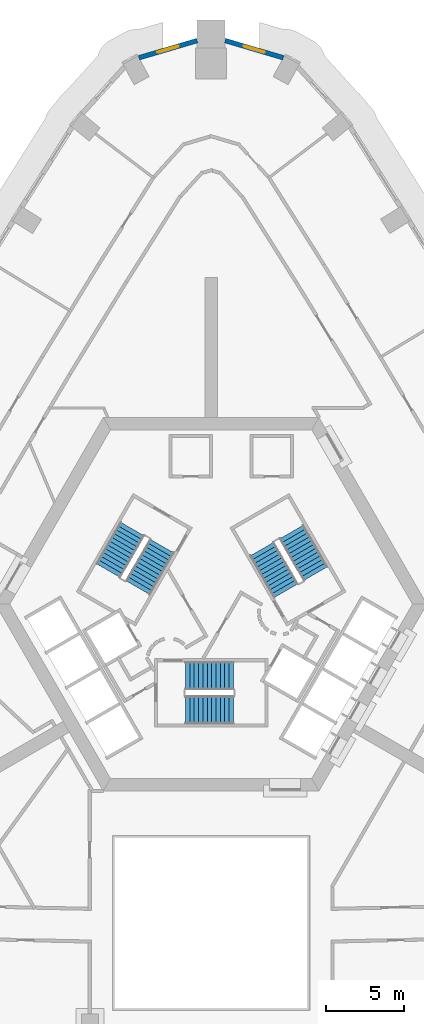
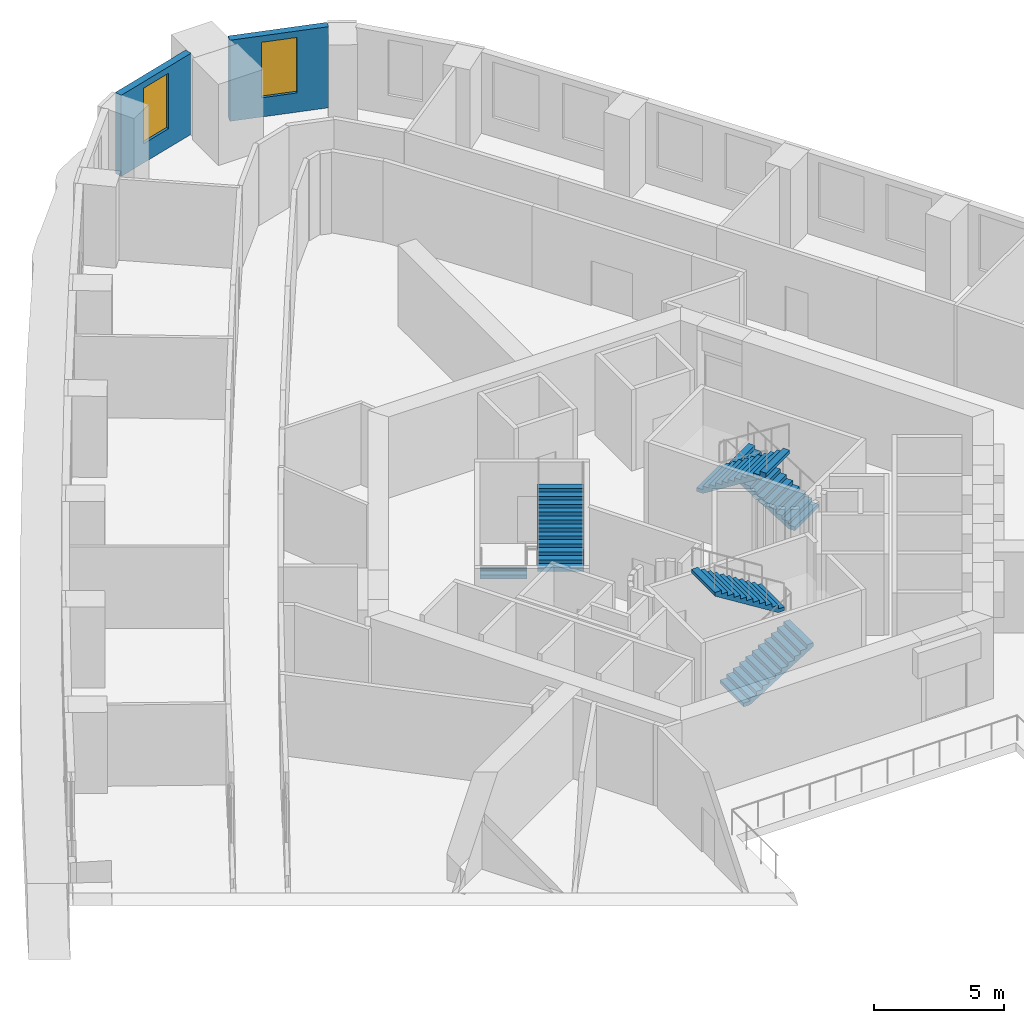
# One storey, part 11 of 17: 6 stair flights, 2 walls, 2 windows, 2 openings, 3 elements without a shape of their own.
"""IFC4 building model written with IfcOpenShell, lengths in metres."""

from ifc_helpers import new_model, si_unit, direction, frame, frame_2d, origin, place, context, subcontext, project, spatial, polyline, rectangle, outline, extrude, material, layer, layer_set, type_object, element, fill, aggregate, save


model = new_model("IFC4")

# Units and contexts
model_context = context("Model", 3, precision=1e-05, world=origin(), true_north=direction((0.0, 1.0)))
body_context = subcontext(model_context, "Body", "Model", "MODEL_VIEW")
ifc_project = project(units=[si_unit("LENGTHUNIT", "METRE"), si_unit("AREAUNIT", "SQUARE_METRE"), si_unit("VOLUMEUNIT", "CUBIC_METRE"), si_unit("PLANEANGLEUNIT", "RADIAN"), si_unit("MASSUNIT", "GRAM", prefix="KILO")], contexts=[model_context])

# Site, building, storey
site_placement = place(None, origin())
site = spatial("IfcSite", under=ifc_project, at=site_placement, CompositionType="ELEMENT")
building_placement = place(site_placement, origin())
building = spatial("IfcBuilding", under=site, at=building_placement, Name="Entoto Arch Interchange Tower", CompositionType="ELEMENT")
storey_placement = place(building_placement, frame((0.0, 0.0, 167.60009765625)))
storey = spatial("IfcBuildingStorey", under=building, at=storey_placement, Name="L37", CompositionType="ELEMENT", Elevation=167.60009765625)

# Wall, opening, window
ifc_material_1 = material(Name="Welded tuff (ignimbrite) cladding, warm buff", Category="masonry")
ifc_layer = layer(ifc_material_1, 0.300048828125)
ifc_layer_set = layer_set([ifc_layer], Name="Welded tuff (ignimbrite) cladding, warm buff")
wall_type = type_object("IfcWallType", Name="STONE INFILL WALL 300", PredefinedType="STANDARD", material=ifc_layer_set)
wall_1_placement = place(storey_placement, frame((4.64111328125, 37.60400390625, 0.0), z_axis=(0.0, 0.0, 1.0), x_axis=(-0.959064064953, 0.283189193501, 0.0)))
wall_1 = element("IfcWall", 1, at=wall_1_placement, inside=storey, type_object=wall_type, Name="Facade wall N-02 L37", PredefinedType="STANDARD", context=body_context, shape_type="SweptSolid", body=[
    extrude(rectangle(XDim=3.90185546875, YDim=0.300048828125, at=frame_2d((1.950927734375, 0.0))), origin(), (0.0, 0.0, 1.0), 3.7998046875),
])
opening_1_placement = place(wall_1_placement, frame((1.2509765625, 0.0, 0.89990234375)))
opening_1 = element("IfcOpeningElement", 2, at=opening_1_placement, cuts=wall_1, Name="Opening WO-B", PredefinedType="OPENING", context=body_context, shape_type="SweptSolid", body=[
    extrude(rectangle(XDim=1.39990234375, YDim=2.60009765625, at=frame_2d((0.699951171875, 1.300048828125))), frame((0.0, 0.16015625, 0.0), z_axis=(0.0, -1.0, 0.0), x_axis=(1.0, 0.0, 0.0)), (0.0, 0.0, 1.0), 0.320068359375),
])
ifc_material_2 = material(Name="Clear glass, low-e double glazed", Category="glass")
window_type = type_object("IfcWindowType", Name="WINDOW WO-B 1400x2600", PartitioningType="DOUBLE_PANEL_VERTICAL", PredefinedType="WINDOW", material=ifc_material_2)
window_1_placement = place(opening_1_placement, origin())
window_1 = element("IfcWindow", 3, at=window_1_placement, inside=storey, type_object=window_type, Name="Window WO-B N-02 L37", OverallHeight=2.60009765625, OverallWidth=1.39990234375, PartitioningType="SINGLE_PANEL", PredefinedType="WINDOW", context=body_context, shape_type="SweptSolid", body=[
    extrude(rectangle(XDim=1.39990234375, YDim=2.60009765625, at=frame_2d((0.699951171875, 1.300048828125))), frame((0.0, 0.030029296875, 0.0), z_axis=(0.0, -1.0, 0.0), x_axis=(1.0, 0.0, 0.0)), (0.0, 0.0, 1.0), 0.06005859375),
])
fill(opening_1, window_1)

wall_2_placement = place(storey_placement, frame((-0.89892578125, 38.708984375, 0.0), z_axis=(0.0, 0.0, 1.0), x_axis=(-0.959064064953, -0.283189193501, 0.0)))
wall_2 = element("IfcWall", 4, at=wall_2_placement, inside=storey, type_object=wall_type, Name="Facade wall N-03 L37", PredefinedType="STANDARD", context=body_context, shape_type="SweptSolid", body=[
    extrude(rectangle(XDim=3.90185546875, YDim=0.300048828125, at=frame_2d((1.950927734375, 0.0))), origin(), (0.0, 0.0, 1.0), 3.7998046875),
])
opening_2_placement = place(wall_2_placement, frame((1.2509765625, 0.0, 0.89990234375)))
opening_2 = element("IfcOpeningElement", 5, at=opening_2_placement, cuts=wall_2, Name="Opening WO-B", PredefinedType="OPENING", context=body_context, shape_type="SweptSolid", body=[
    extrude(rectangle(XDim=1.39990234375, YDim=2.60009765625, at=frame_2d((0.699951171875, 1.300048828125))), frame((0.0, 0.16015625, 0.0), z_axis=(0.0, -1.0, 0.0), x_axis=(1.0, 0.0, 0.0)), (0.0, 0.0, 1.0), 0.320068359375),
])
window_2_placement = place(opening_2_placement, origin())
window_2 = element("IfcWindow", 6, at=window_2_placement, inside=storey, type_object=window_type, Name="Window WO-B N-03 L37", OverallHeight=2.60009765625, OverallWidth=1.39990234375, PartitioningType="SINGLE_PANEL", PredefinedType="WINDOW", context=body_context, shape_type="SweptSolid", body=[
    extrude(rectangle(XDim=1.39990234375, YDim=2.60009765625, at=frame_2d((0.699951171875, 1.300048828125))), frame((0.0, 0.030029296875, 0.0), z_axis=(0.0, -1.0, 0.0), x_axis=(1.0, 0.0, 0.0)), (0.0, 0.0, 1.0), 0.06005859375),
])
fill(opening_2, window_2)

# Stair, stair flights
ifc_material_3 = material(Name="Concrete C40/50", Category="concrete")
stair_type = type_object("IfcStairType", Name="EXIT STAIR RC 1800", PredefinedType="HALF_TURN_STAIR", material=ifc_material_3)
stair_1_placement = place(storey_placement, origin())
stair_1 = element("IfcStair", 7, at=stair_1_placement, inside=storey, type_object=stair_type, Name="L37 Exit stair S", PredefinedType="HALF_TURN_STAIR")
stair_flight_type = type_object("IfcStairFlightType", Name="EXIT STAIR FLIGHT RC 1800", PredefinedType="STRAIGHT", material=ifc_material_3)
stair_flight_1_placement = place(storey_placement, frame((-1.64990234375, -4.300048828125, 0.0), z_axis=(0.0, 0.0, 1.0), x_axis=(1.0, 0.0, 0.0)))
stair_flight_1 = element("IfcStairFlight", 8, at=stair_flight_1_placement, type_object=stair_flight_type, Name="ST-S flight 1", NumberOfRisers=12, NumberOfTreads=11, PredefinedType="STRAIGHT", RiserHeight=0.175, TreadLength=0.28, context=body_context, shape_type="SweptSolid", body=[
    extrude(outline(polyline([(-0.0029296875, 0.0), (-0.0029296875, 0.175048828125), (0.280029296875, 0.175048828125), (0.280029296875, 0.35009765625), (0.56005859375, 0.35009765625), (0.56005859375, 0.52490234375), (0.840087890625, 0.52490234375), (0.840087890625, 0.699951171875), (1.1201171875, 0.699951171875), (1.1201171875, 0.875), (1.39990234375, 0.875), (1.39990234375, 1.050048828125), (1.679931640625, 1.050048828125), (1.679931640625, 1.22509765625), (1.9599609375, 1.22509765625), (1.9599609375, 1.39990234375), (2.239990234375, 1.39990234375), (2.239990234375, 1.574951171875), (2.52001953125, 1.574951171875), (2.52001953125, 1.75), (2.800048828125, 1.75), (2.800048828125, 1.925048828125), (3.080078125, 1.925048828125), (3.0830078125, 1.925048828125), (3.0830078125, 1.75), (0.28271484375, 0.0), (-0.0029296875, 0.0)])), frame((0.0, 0.89990234375, 0.0), z_axis=(0.0, -1.0, 0.0), x_axis=(1.0, 0.0, 0.0)), (0.0, 0.0, 1.0), 1.800048828125),
])
stair_flight_2_placement = place(storey_placement, frame((1.429931640625, -2.10009765625, 2.099853515625), z_axis=(0.0, 0.0, 1.0), x_axis=(-1.0, 0.0, 0.0)))
stair_flight_2 = element("IfcStairFlight", 9, at=stair_flight_2_placement, type_object=stair_flight_type, Name="ST-S flight 2", NumberOfRisers=12, NumberOfTreads=11, PredefinedType="STRAIGHT", RiserHeight=0.175, TreadLength=0.28, context=body_context, shape_type="SweptSolid", body=[
    extrude(outline(polyline([(-0.0029296875, 0.0), (-0.0029296875, 0.175048828125), (0.280029296875, 0.175048828125), (0.280029296875, 0.35009765625), (0.56005859375, 0.35009765625), (0.56005859375, 0.52490234375), (0.840087890625, 0.52490234375), (0.840087890625, 0.699951171875), (1.1201171875, 0.699951171875), (1.1201171875, 0.875), (1.39990234375, 0.875), (1.39990234375, 1.050048828125), (1.679931640625, 1.050048828125), (1.679931640625, 1.22509765625), (1.9599609375, 1.22509765625), (1.9599609375, 1.39990234375), (2.239990234375, 1.39990234375), (2.239990234375, 1.574951171875), (2.52001953125, 1.574951171875), (2.52001953125, 1.75), (2.800048828125, 1.75), (2.800048828125, 1.925048828125), (3.080078125, 1.925048828125), (3.0830078125, 1.925048828125), (3.0830078125, 1.75), (0.28271484375, 0.0), (-0.0029296875, 0.0)])), frame((0.0, 0.89990234375, 0.0), z_axis=(0.0, -1.0, 0.0), x_axis=(1.0, 0.0, 0.0)), (0.0, 0.0, 1.0), 1.800048828125),
])
aggregate(stair_1, [stair_flight_1, stair_flight_2])

stair_2_placement = place(storey_placement, origin())
stair_2 = element("IfcStair", 10, at=stair_2_placement, inside=storey, type_object=stair_type, Name="L37 Exit stair NE", PredefinedType="HALF_TURN_STAIR")
stair_flight_3_placement = place(storey_placement, frame((6.7138671875, 4.470947265625, 0.0), z_axis=(0.0, 0.0, 1.0), x_axis=(-0.5, 0.866025403784, 0.0)))
stair_flight_3 = element("IfcStairFlight", 11, at=stair_flight_3_placement, type_object=stair_flight_type, Name="ST-NE flight 1", NumberOfRisers=12, NumberOfTreads=11, PredefinedType="STRAIGHT", RiserHeight=0.175, TreadLength=0.28, context=body_context, shape_type="SweptSolid", body=[
    extrude(outline(polyline([(-0.0029296875, 0.0), (-0.0029296875, 0.175048828125), (0.280029296875, 0.175048828125), (0.280029296875, 0.35009765625), (0.56005859375, 0.35009765625), (0.56005859375, 0.52490234375), (0.840087890625, 0.52490234375), (0.840087890625, 0.699951171875), (1.1201171875, 0.699951171875), (1.1201171875, 0.875), (1.39990234375, 0.875), (1.39990234375, 1.050048828125), (1.679931640625, 1.050048828125), (1.679931640625, 1.22509765625), (1.9599609375, 1.22509765625), (1.9599609375, 1.39990234375), (2.239990234375, 1.39990234375), (2.239990234375, 1.574951171875), (2.52001953125, 1.574951171875), (2.52001953125, 1.75), (2.800048828125, 1.75), (2.800048828125, 1.925048828125), (3.080078125, 1.925048828125), (3.0830078125, 1.925048828125), (3.0830078125, 1.75), (0.28271484375, 0.0), (-0.0029296875, 0.0)])), frame((0.0, 0.89990234375, 0.0), z_axis=(0.0, -1.0, 0.0), x_axis=(1.0, 0.0, 0.0)), (0.0, 0.0, 1.0), 1.800048828125),
])
stair_flight_4_placement = place(storey_placement, frame((3.268798828125, 6.038330078125, 2.099853515625), z_axis=(0.0, 0.0, 1.0), x_axis=(0.5, -0.866025403784, 0.0)))
stair_flight_4 = element("IfcStairFlight", 12, at=stair_flight_4_placement, type_object=stair_flight_type, Name="ST-NE flight 2", NumberOfRisers=12, NumberOfTreads=11, PredefinedType="STRAIGHT", RiserHeight=0.175, TreadLength=0.28, context=body_context, shape_type="SweptSolid", body=[
    extrude(outline(polyline([(-0.0029296875, 0.0), (-0.0029296875, 0.175048828125), (0.280029296875, 0.175048828125), (0.280029296875, 0.35009765625), (0.56005859375, 0.35009765625), (0.56005859375, 0.52490234375), (0.840087890625, 0.52490234375), (0.840087890625, 0.699951171875), (1.1201171875, 0.699951171875), (1.1201171875, 0.875), (1.39990234375, 0.875), (1.39990234375, 1.050048828125), (1.679931640625, 1.050048828125), (1.679931640625, 1.22509765625), (1.9599609375, 1.22509765625), (1.9599609375, 1.39990234375), (2.239990234375, 1.39990234375), (2.239990234375, 1.574951171875), (2.52001953125, 1.574951171875), (2.52001953125, 1.75), (2.800048828125, 1.75), (2.800048828125, 1.925048828125), (3.080078125, 1.925048828125), (3.0830078125, 1.925048828125), (3.0830078125, 1.75), (0.28271484375, 0.0), (-0.0029296875, 0.0)])), frame((0.0, 0.89990234375, 0.0), z_axis=(0.0, -1.0, 0.0), x_axis=(1.0, 0.0, 0.0)), (0.0, 0.0, 1.0), 1.800048828125),
])
aggregate(stair_2, [stair_flight_3, stair_flight_4])

stair_3_placement = place(storey_placement, origin())
stair_3 = element("IfcStair", 13, at=stair_3_placement, inside=storey, type_object=stair_type, Name="L37 Exit stair NW", PredefinedType="HALF_TURN_STAIR")
stair_flight_5_placement = place(storey_placement, frame((-5.06396484375, 7.328857421875, 0.0), z_axis=(0.0, 0.0, 1.0), x_axis=(-0.5, -0.866025403784, 0.0)))
stair_flight_5 = element("IfcStairFlight", 14, at=stair_flight_5_placement, type_object=stair_flight_type, Name="ST-NW flight 1", NumberOfRisers=12, NumberOfTreads=11, PredefinedType="STRAIGHT", RiserHeight=0.175, TreadLength=0.28, context=body_context, shape_type="SweptSolid", body=[
    extrude(outline(polyline([(-0.0029296875, 0.0), (-0.0029296875, 0.175048828125), (0.280029296875, 0.175048828125), (0.280029296875, 0.35009765625), (0.56005859375, 0.35009765625), (0.56005859375, 0.52490234375), (0.840087890625, 0.52490234375), (0.840087890625, 0.699951171875), (1.1201171875, 0.699951171875), (1.1201171875, 0.875), (1.39990234375, 0.875), (1.39990234375, 1.050048828125), (1.679931640625, 1.050048828125), (1.679931640625, 1.22509765625), (1.9599609375, 1.22509765625), (1.9599609375, 1.39990234375), (2.239990234375, 1.39990234375), (2.239990234375, 1.574951171875), (2.52001953125, 1.574951171875), (2.52001953125, 1.75), (2.800048828125, 1.75), (2.800048828125, 1.925048828125), (3.080078125, 1.925048828125), (3.0830078125, 1.925048828125), (3.0830078125, 1.75), (0.28271484375, 0.0), (-0.0029296875, 0.0)])), frame((0.0, 0.89990234375, 0.0), z_axis=(0.0, -1.0, 0.0), x_axis=(1.0, 0.0, 0.0)), (0.0, 0.0, 1.0), 1.800048828125),
])
stair_flight_6_placement = place(storey_placement, frame((-4.69873046875, 3.5615234375, 2.099853515625), z_axis=(0.0, 0.0, 1.0), x_axis=(0.5, 0.866025403784, 0.0)))
stair_flight_6 = element("IfcStairFlight", 15, at=stair_flight_6_placement, type_object=stair_flight_type, Name="ST-NW flight 2", NumberOfRisers=12, NumberOfTreads=11, PredefinedType="STRAIGHT", RiserHeight=0.175, TreadLength=0.28, context=body_context, shape_type="SweptSolid", body=[
    extrude(outline(polyline([(-0.0029296875, 0.0), (-0.0029296875, 0.175048828125), (0.280029296875, 0.175048828125), (0.280029296875, 0.35009765625), (0.56005859375, 0.35009765625), (0.56005859375, 0.52490234375), (0.840087890625, 0.52490234375), (0.840087890625, 0.699951171875), (1.1201171875, 0.699951171875), (1.1201171875, 0.875), (1.39990234375, 0.875), (1.39990234375, 1.050048828125), (1.679931640625, 1.050048828125), (1.679931640625, 1.22509765625), (1.9599609375, 1.22509765625), (1.9599609375, 1.39990234375), (2.239990234375, 1.39990234375), (2.239990234375, 1.574951171875), (2.52001953125, 1.574951171875), (2.52001953125, 1.75), (2.800048828125, 1.75), (2.800048828125, 1.925048828125), (3.080078125, 1.925048828125), (3.0830078125, 1.925048828125), (3.0830078125, 1.75), (0.28271484375, 0.0), (-0.0029296875, 0.0)])), frame((0.0, 0.89990234375, 0.0), z_axis=(0.0, -1.0, 0.0), x_axis=(1.0, 0.0, 0.0)), (0.0, 0.0, 1.0), 1.800048828125),
])
aggregate(stair_3, [stair_flight_5, stair_flight_6])

save(model, "model.ifc")
